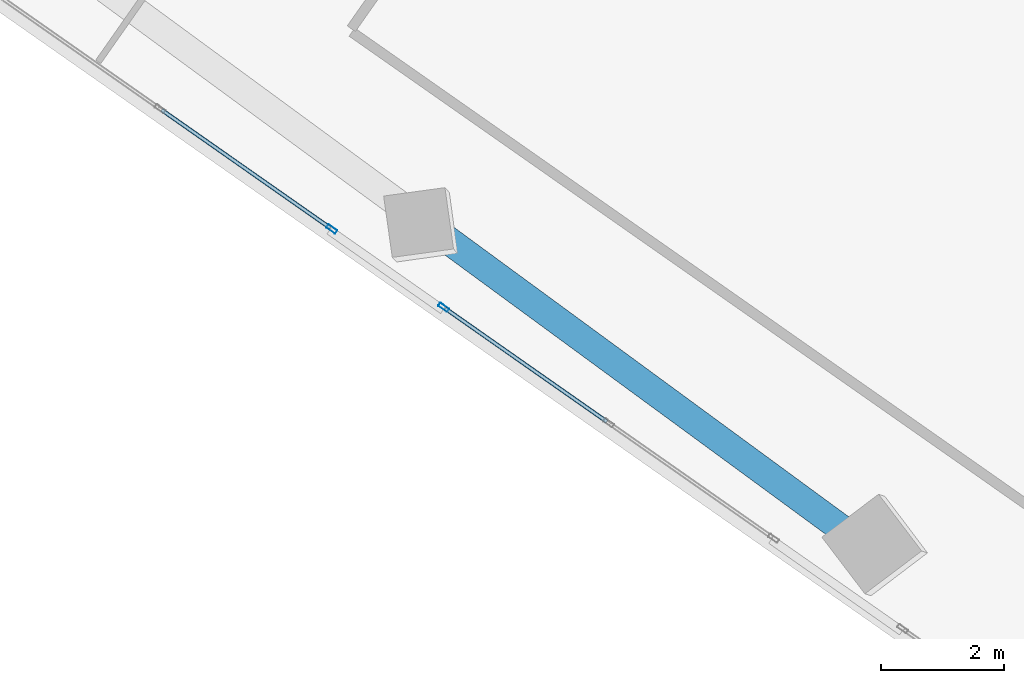
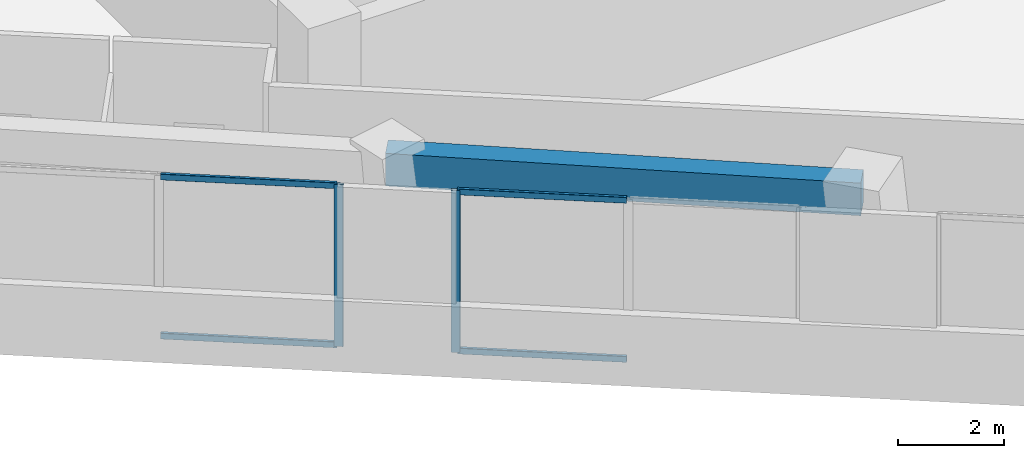
# One storey, part 3 of 22: 6 members, 1 beam, 2 elements without a shape of their own.
"""IFC4 building model written with IfcOpenShell, lengths in metres."""

from ifc_helpers import new_model, si_unit, direction, frame, origin, origin_2d, place, context, subcontext, project, spatial, rectangle, hollow_rectangle, extrude, source, transform, mapped, material, material_profile, profile_set, type_object, element, aggregate, save


model = new_model("IFC4")

# Units and contexts
model_context = context("Model", 3, precision=1e-05, world=origin(), true_north=direction((0.0, 1.0)))
body_context = subcontext(model_context, "Body", "Model", "MODEL_VIEW")
ifc_project = project(units=[si_unit("LENGTHUNIT", "METRE"), si_unit("AREAUNIT", "SQUARE_METRE"), si_unit("VOLUMEUNIT", "CUBIC_METRE"), si_unit("PLANEANGLEUNIT", "RADIAN"), si_unit("MASSUNIT", "GRAM", prefix="KILO")], contexts=[model_context])

# Site, building, storey
site_placement = place(None, origin())
site = spatial("IfcSite", under=ifc_project, at=site_placement, CompositionType="ELEMENT")
building_placement = place(site_placement, origin())
building = spatial("IfcBuilding", under=site, at=building_placement, Name="Torre Montelarca", CompositionType="ELEMENT")
storey_placement = place(building_placement, frame((0.0, 0.0, 196.0)))
storey = spatial("IfcBuildingStorey", under=building, at=storey_placement, Name="L44", CompositionType="ELEMENT", Elevation=196.0)

# Beam
ifc_material_1 = material(Name="Concrete C55/67", Category="concrete")
ifc_material_profile_1 = material_profile(ifc_material_1, rectangle(XDim=0.449951171875, YDim=0.75, at=origin_2d()), Name="RCB450X750", Category="concrete")
ifc_profile_set_1 = profile_set([ifc_material_profile_1], Name="Concrete C55/67")
beam_type = type_object("IfcBeamType", Name="BM-SP-RC750-EXT", PredefinedType="SPANDREL", material=ifc_profile_set_1)
shared_shape_1 = source(origin(), body_context, "Body", "SweptSolid", [
    extrude(rectangle(XDim=0.449951171875, YDim=0.75, at=origin_2d()), origin(), (0.0, 0.0, 1.0), 9.0),
])
beam_placement = place(storey_placement, frame((8.5068359375, 20.19873046875, 3.5849609375), z_axis=(0.806447251738, -0.591306037653, 0.0), x_axis=(0.591306037653, 0.806447251738, 0.0)))
element("IfcBeam", 1, at=beam_placement, inside=storey, type_object=beam_type, Name="L44 Grid Girder X 18.0-27.0 at Y=14.8", PredefinedType="SPANDREL", context=body_context, shape_type="MappedRepresentation", body=[
    mapped(shared_shape_1, transform((0.0, 0.0, 0.0), scale=1.0)),
])

# Curtain wall, member
ifc_material_2 = material(Name="Insulated low-E laminated glass", Category="glass")
curtain_wall_type = type_object("IfcCurtainWallType", Name="CW-SYS-Z2", PredefinedType="USERDEFINED", material=ifc_material_2)
curtain_wall_1_placement = place(storey_placement, origin())
curtain_wall_1 = element("IfcCurtainWall", 2, at=curtain_wall_1_placement, inside=storey, type_object=curtain_wall_type, Name="L44 Curtain Wall Run CW-T3-L44-E01-B1", ObjectType="UNITISED GLAZING", PredefinedType="USERDEFINED")
ifc_material_3 = material(Name="Anodised aluminium AA 6063-T6", Category="aluminium")
ifc_material_profile_2 = material_profile(ifc_material_3, hollow_rectangle(XDim=0.06494140625, YDim=0.179931640625, WallThickness=0.00390625, InnerFilletRadius=0.00390625, OuterFilletRadius=0.008056640625, at=origin_2d()), Name="ALU65X180X4", Category="aluminium")
ifc_profile_set_2 = profile_set([ifc_material_profile_2], Name="Anodised aluminium AA 6063-T6")
member_type_1 = type_object("IfcMemberType", Name="CWM-ALU180", PredefinedType="MULLION", material=ifc_profile_set_2)
shared_shape_2 = source(origin(), body_context, "Body", "SweptSolid", [
    extrude(hollow_rectangle(XDim=0.06494140625, YDim=0.179931640625, WallThickness=0.00390625, InnerFilletRadius=0.00390625, OuterFilletRadius=0.008056640625, at=origin_2d()), origin(), (0.0, 0.0, 1.0), 3.719970703125),
])
member_1_placement = place(storey_placement, frame((7.285888671875, 19.8935546875, 0.0), z_axis=(0.0, 0.0, 1.0), x_axis=(0.573568109864, 0.819157874495, 0.0)))
member_1 = element("IfcMember", 3, at=member_1_placement, type_object=member_type_1, Name="CW mullion 3", PredefinedType="MULLION", context=body_context, shape_type="MappedRepresentation", body=[
    mapped(shared_shape_2, transform((0.0, 0.0, 0.0), scale=1.0)),
])

curtain_wall_2_placement = place(storey_placement, origin())
curtain_wall_2 = element("IfcCurtainWall", 4, at=curtain_wall_2_placement, inside=storey, type_object=curtain_wall_type, Name="L44 Curtain Wall Run CW-T3-L44-E01-B2", ObjectType="UNITISED GLAZING", PredefinedType="USERDEFINED")
member_2_placement = place(storey_placement, frame((9.097900390625, 18.624755859375, 0.0), z_axis=(0.0, 0.0, 1.0), x_axis=(0.573571337551, 0.819155614484, 0.0)))
member_2 = element("IfcMember", 5, at=member_2_placement, type_object=member_type_1, Name="CW mullion 1", PredefinedType="MULLION", context=body_context, shape_type="MappedRepresentation", body=[
    mapped(shared_shape_2, transform((0.0, 0.0, 0.0), scale=1.0)),
])

# Member
ifc_material_profile_3 = material_profile(ifc_material_3, hollow_rectangle(XDim=0.06494140625, YDim=0.139892578125, WallThickness=0.00390625, InnerFilletRadius=0.00390625, OuterFilletRadius=0.008056640625, at=origin_2d()), Name="ALU65X140X4", Category="aluminium")
ifc_profile_set_3 = profile_set([ifc_material_profile_3], Name="Anodised aluminium AA 6063-T6")
member_type_2 = type_object("IfcMemberType", Name="CWT-ALU140", PredefinedType="USERDEFINED", material=ifc_profile_set_3)
shared_shape_3 = source(origin(), body_context, "Body", "SweptSolid", [
    extrude(hollow_rectangle(XDim=0.06494140625, YDim=0.139892578125, WallThickness=0.00390625, InnerFilletRadius=0.00390625, OuterFilletRadius=0.008056640625, at=origin_2d()), origin(), (0.0, 0.0, 1.0), 3.328857421875),
])
member_3_placement = place(storey_placement, frame((4.5322265625, 21.821533203125, 0.032470703125), z_axis=(0.819138880647, -0.573595235521, 0.0), x_axis=(0.573595235521, 0.819138880647, 0.0)))
member_3 = element("IfcMember", 6, at=member_3_placement, type_object=member_type_2, Name="CW transom 2.1", ObjectType="TRANSOM", PredefinedType="USERDEFINED", context=body_context, shape_type="MappedRepresentation", body=[
    mapped(shared_shape_3, transform((0.0, 0.0, 0.0), scale=1.0)),
])

member_4_placement = place(storey_placement, frame((4.5322265625, 21.821533203125, 3.6875), z_axis=(0.819138880647, -0.573595235521, 0.0), x_axis=(0.573595235521, 0.819138880647, 0.0)))
member_4 = element("IfcMember", 7, at=member_4_placement, type_object=member_type_2, Name="CW transom 2.2", ObjectType="TRANSOM", PredefinedType="USERDEFINED", context=body_context, shape_type="MappedRepresentation", body=[
    mapped(shared_shape_3, transform((0.0, 0.0, 0.0), scale=1.0)),
])

aggregate(curtain_wall_1, [member_1, member_3, member_4])

shared_shape_4 = source(origin(), body_context, "Body", "SweptSolid", [
    extrude(hollow_rectangle(XDim=0.06494140625, YDim=0.139892578125, WallThickness=0.00390625, InnerFilletRadius=0.00390625, OuterFilletRadius=0.008056640625, at=origin_2d()), origin(), (0.0, 0.0, 1.0), 3.19677734375),
])
member_5_placement = place(storey_placement, frame((9.12451171875, 18.60595703125, 0.032470703125), z_axis=(0.819167332191, -0.573554602345, 0.0), x_axis=(0.573554602345, 0.819167332191, 0.0)))
member_5 = element("IfcMember", 8, at=member_5_placement, type_object=member_type_2, Name="CW transom 1.1", ObjectType="TRANSOM", PredefinedType="USERDEFINED", context=body_context, shape_type="MappedRepresentation", body=[
    mapped(shared_shape_4, transform((0.0, 0.0, 0.0), scale=1.0)),
])

member_6_placement = place(storey_placement, frame((9.12451171875, 18.60595703125, 3.6875), z_axis=(0.819167332191, -0.573554602345, 0.0), x_axis=(0.573554602345, 0.819167332191, 0.0)))
member_6 = element("IfcMember", 9, at=member_6_placement, type_object=member_type_2, Name="CW transom 1.2", ObjectType="TRANSOM", PredefinedType="USERDEFINED", context=body_context, shape_type="MappedRepresentation", body=[
    mapped(shared_shape_4, transform((0.0, 0.0, 0.0), scale=1.0)),
])

aggregate(curtain_wall_2, [member_2, member_5, member_6])

save(model, "model.ifc")
